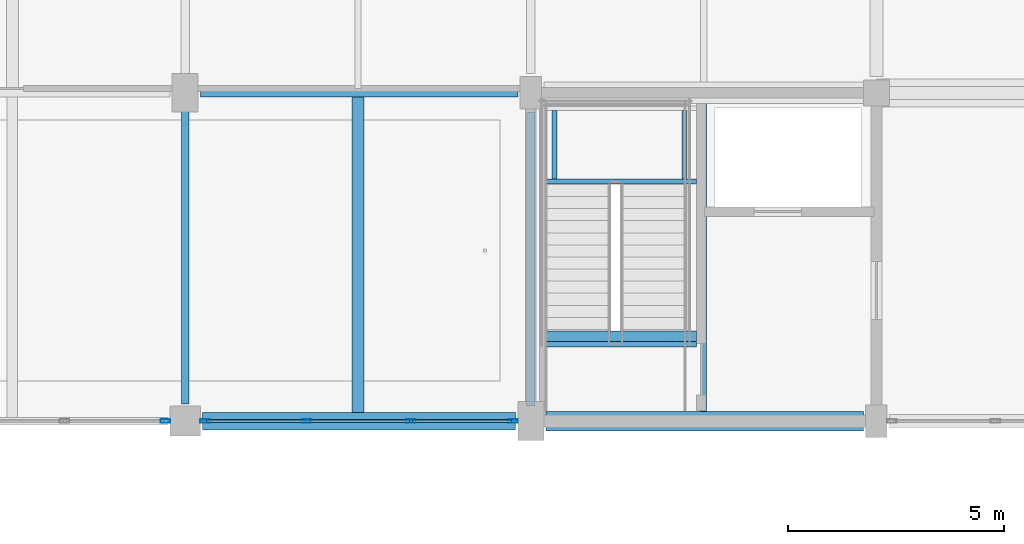
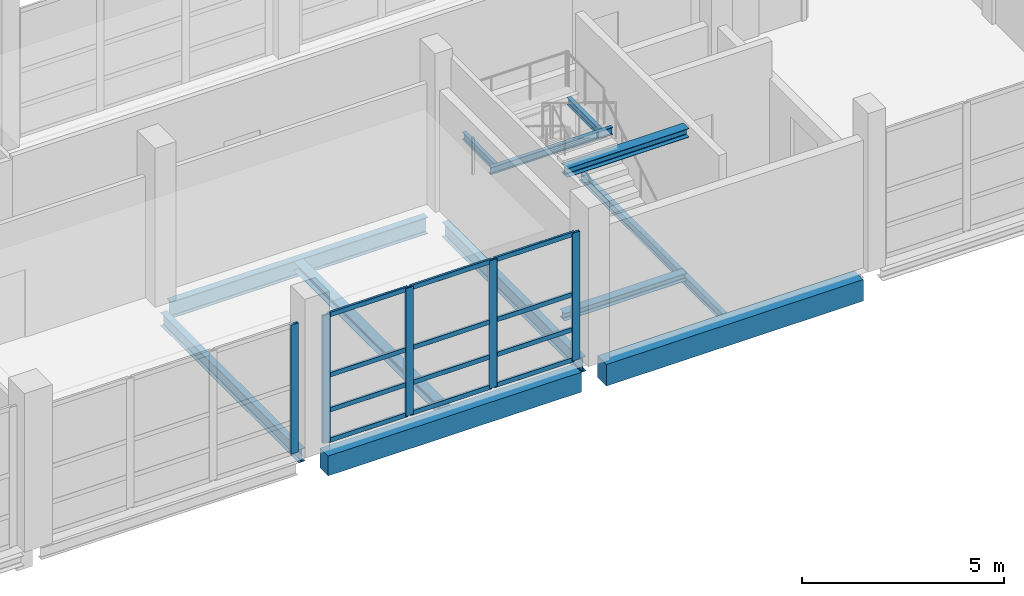
# One storey, part 33 of 141: 17 members, 12 beams, 2 elements without a shape of their own.
"""IFC4 building model written with IfcOpenShell, lengths in metres."""

from ifc_helpers import new_model, si_unit, direction, frame, origin, origin_2d, place, context, subcontext, project, spatial, rectangle, hollow_rectangle, i_section, extrude, material, material_profile, profile_set, type_object, element, aggregate, save


model = new_model("IFC4")

# Units and contexts
model_context = context("Model", 3, precision=1e-05, world=origin(), true_north=direction((0.0, 1.0)))
body_context = subcontext(model_context, "Body", "Model", "MODEL_VIEW")
ifc_project = project(units=[si_unit("LENGTHUNIT", "METRE"), si_unit("AREAUNIT", "SQUARE_METRE"), si_unit("VOLUMEUNIT", "CUBIC_METRE"), si_unit("PLANEANGLEUNIT", "RADIAN"), si_unit("MASSUNIT", "GRAM", prefix="KILO")], contexts=[model_context])

# Site, building, storey
site_placement = place(None, origin())
site = spatial("IfcSite", under=ifc_project, at=site_placement, CompositionType="ELEMENT")
building_placement = place(site_placement, origin())
building = spatial("IfcBuilding", under=site, at=building_placement, Name="Khelvaren Railside Concert Hall", CompositionType="ELEMENT")
storey_placement = place(building_placement, frame((0.0, 0.0, 10.199951171875)))
storey = spatial("IfcBuildingStorey", under=building, at=storey_placement, Name="L02", CompositionType="ELEMENT", Elevation=10.199951171875)

# Beams
ifc_material_1 = material(Name="Steel S355", Category="steel")
ifc_material_profile_1 = material_profile(ifc_material_1, i_section(OverallWidth=0.179931640625, OverallDepth=0.39990234375, WebThickness=0.008544921875, FlangeThickness=0.013427734375, FilletRadius=0.02099609375, at=origin_2d()), Name="IPE 400")
ifc_profile_set_1 = profile_set([ifc_material_profile_1], Name="Steel S355")
beam_type_1 = type_object("IfcBeamType", Name="BM29", PredefinedType="BEAM", material=ifc_profile_set_1)
beam_1_placement = place(storey_placement, frame((112.0, 0.39990234375, -0.489990234375), z_axis=(0.0, 1.0, 0.0), x_axis=(-1.0, 0.0, 0.0)))
element("IfcBeam", 1, at=beam_1_placement, inside=storey, type_object=beam_type_1, Name="V3 L02 Beam Y7.1", PredefinedType="BEAM", context=body_context, shape_type="SweptSolid", body=[
    extrude(i_section(OverallWidth=0.179931640625, OverallDepth=0.39990234375, WebThickness=0.008544921875, FlangeThickness=0.013427734375, FilletRadius=0.02099609375, at=origin_2d()), origin(), (0.0, 0.0, 1.0), 6.85009765625),
])
ifc_material_profile_2 = material_profile(ifc_material_1, i_section(OverallWidth=0.239990234375, OverallDepth=0.22998046875, WebThickness=0.007568359375, FlangeThickness=0.011962890625, FilletRadius=0.02099609375, at=origin_2d()), Name="HEA 240")
ifc_profile_set_2 = profile_set([ifc_material_profile_2], Name="Steel S355")
beam_type_2 = type_object("IfcBeamType", Name="BM42", PredefinedType="BEAM", material=ifc_profile_set_2)
beam_2_placement = place(storey_placement, frame((120.344970703125, 1.960693359375, -0.114990234375), z_axis=(1.0, 0.0, 0.0), x_axis=(0.0, 1.0, 0.0)))
element("IfcBeam", 2, at=beam_2_placement, inside=storey, type_object=beam_type_2, Name="ST-06 L02 Stair Foot Trimmer Beam", PredefinedType="BEAM", context=body_context, shape_type="SweptSolid", body=[
    extrude(i_section(OverallWidth=0.239990234375, OverallDepth=0.22998046875, WebThickness=0.007568359375, FlangeThickness=0.011962890625, FilletRadius=0.02099609375, at=origin_2d()), origin(), (0.0, 0.0, 1.0), 3.4951171875),
])
ifc_material_profile_3 = material_profile(ifc_material_1, i_section(OverallWidth=0.199951171875, OverallDepth=0.5, WebThickness=0.01025390625, FlangeThickness=0.01611328125, FilletRadius=0.02099609375, at=origin_2d()), Name="IPE 500")
ifc_profile_set_3 = profile_set([ifc_material_profile_3], Name="Steel S355")
beam_type_3 = type_object("IfcBeamType", Name="BM62", PredefinedType="BEAM", material=ifc_profile_set_3)
beam_3_placement = place(storey_placement, frame((112.35009765625, 7.60009765625, -0.5400390625), z_axis=(1.0, 0.0, 0.0), x_axis=(0.0, 1.0, 0.0)))
element("IfcBeam", 3, at=beam_3_placement, inside=storey, type_object=beam_type_3, Name="V3 L02 Beam X2.7", PredefinedType="BEAM", context=body_context, shape_type="SweptSolid", body=[
    extrude(i_section(OverallWidth=0.199951171875, OverallDepth=0.5, WebThickness=0.01025390625, FlangeThickness=0.01611328125, FilletRadius=0.02099609375, at=origin_2d()), origin(), (0.0, 0.0, 1.0), 7.349853515625),
])
ifc_material_profile_4 = material_profile(ifc_material_1, i_section(OverallWidth=0.110107421875, OverallDepth=0.219970703125, WebThickness=0.005859375, FlangeThickness=0.00927734375, FilletRadius=0.011962890625, at=origin_2d()), Name="IPE 220")
ifc_profile_set_4 = profile_set([ifc_material_profile_4], Name="Steel S355")
beam_type_4 = type_object("IfcBeamType", Name="BM87", PredefinedType="BEAM", material=ifc_profile_set_4)
beam_4_placement = place(storey_placement, frame((120.344970703125, 5.544921875, 2.090087890625), z_axis=(1.0, 0.0, 0.0), x_axis=(0.0, 1.0, 0.0)))
element("IfcBeam", 4, at=beam_4_placement, inside=storey, type_object=beam_type_4, Name="ST-06 L02 Half-Landing Front Beam", PredefinedType="BEAM", context=body_context, shape_type="SweptSolid", body=[
    extrude(i_section(OverallWidth=0.110107421875, OverallDepth=0.219970703125, WebThickness=0.005859375, FlangeThickness=0.00927734375, FilletRadius=0.011962890625, at=origin_2d()), origin(), (0.0, 0.0, 1.0), 3.4951171875),
])
for number, where, z_axis, x_axis, name in (
    (5, (120.550048828125, 5.60009765625, 2.090087890625), (0.0, 1.0, 0.0), (-1.0, 0.0, 0.0), "ST-06 L02 Half-Landing Side Tie W"),
    (6, (123.550048828125, 5.60009765625, 2.090087890625), (0.0, 1.0, 0.0), (-1.0, 0.0, 0.0), "ST-06 L02 Half-Landing Side Tie E"),
):
    element("IfcBeam", number, at=place(storey_placement, frame(where, z_axis=z_axis, x_axis=x_axis)), inside=storey, type_object=beam_type_4, Name=name, PredefinedType="BEAM", context=body_context, shape_type="SweptSolid", body=[
        extrude(i_section(OverallWidth=0.110107421875, OverallDepth=0.219970703125, WebThickness=0.005859375, FlangeThickness=0.00927734375, FilletRadius=0.011962890625, at=origin_2d()), origin(), (0.0, 0.0, 1.0), 1.5849609375),
    ])
ifc_material_profile_5 = material_profile(ifc_material_1, i_section(OverallWidth=0.280029296875, OverallDepth=0.27001953125, WebThickness=0.008056640625, FlangeThickness=0.012939453125, FilletRadius=0.02392578125, at=origin_2d()), Name="HEA 280")
ifc_profile_set_5 = profile_set([ifc_material_profile_5], Name="Steel S355")
beam_type_5 = type_object("IfcBeamType", Name="BM93", PredefinedType="BEAM", material=ifc_profile_set_5)
beam_5_placement = place(storey_placement, frame((120.344970703125, 1.860107421875, 4.317626953125), z_axis=(1.0, 0.0, 0.0), x_axis=(0.0, 1.0, 0.0)))
element("IfcBeam", 7, at=beam_5_placement, inside=storey, type_object=beam_type_5, Name="ST-06 L02 Stair Top Arrival Trimmer Beam", PredefinedType="BEAM", context=body_context, shape_type="SweptSolid", body=[
    extrude(i_section(OverallWidth=0.280029296875, OverallDepth=0.27001953125, WebThickness=0.008056640625, FlangeThickness=0.012939453125, FilletRadius=0.02392578125, at=origin_2d()), origin(), (0.0, 0.0, 1.0), 3.4951171875),
])
ifc_material_profile_6 = material_profile(ifc_material_1, i_section(OverallWidth=0.18994140625, OverallDepth=0.449951171875, WebThickness=0.009521484375, FlangeThickness=0.0146484375, FilletRadius=0.02099609375, at=origin_2d()), Name="IPE 450")
ifc_profile_set_6 = profile_set([ifc_material_profile_6], Name="Steel S355")
beam_type_6 = type_object("IfcBeamType", Name="BM95", PredefinedType="BEAM", material=ifc_profile_set_6)
beam_6_placement = place(storey_placement, frame((120.0, 0.35009765625, -0.514892578125), z_axis=(0.0, 1.0, 0.0), x_axis=(-1.0, 0.0, 0.0)))
element("IfcBeam", 8, at=beam_6_placement, inside=storey, type_object=beam_type_6, Name="V3 L02 Beam Y8.1", PredefinedType="BEAM", context=body_context, shape_type="SweptSolid", body=[
    extrude(i_section(OverallWidth=0.18994140625, OverallDepth=0.449951171875, WebThickness=0.009521484375, FlangeThickness=0.0146484375, FilletRadius=0.02099609375, at=origin_2d()), origin(), (0.0, 0.0, 1.0), 6.7998046875),
])

# Curtain wall, member
ifc_material_2 = material(Name="Double-glazed clear foyer glass", Category="glass")
curtain_wall_type_1 = type_object("IfcCurtainWallType", Name="CW83", PredefinedType="USERDEFINED", material=ifc_material_2)
curtain_wall_1_placement = place(storey_placement, origin())
curtain_wall_1 = element("IfcCurtainWall", 9, at=curtain_wall_1_placement, inside=storey, type_object=curtain_wall_type_1, Name="Unitised Curtain Wall CW-V3-L02-S-104", ObjectType="UNITISED CURTAIN WALL", PredefinedType="USERDEFINED")
ifc_material_3 = material(Name="Anodised architectural aluminium 6063-T6", Category="aluminium")
ifc_material_profile_7 = material_profile(ifc_material_3, hollow_rectangle(XDim=0.074951171875, YDim=0.219970703125, WallThickness=0.0048828125, InnerFilletRadius=0.0029296875, OuterFilletRadius=0.0048828125, at=origin_2d()), Name="CWM 75x220x5")
ifc_profile_set_7 = profile_set([ifc_material_profile_7], Name="Anodised architectural aluminium 6063-T6")
member_type_1 = type_object("IfcMemberType", Name="CWM13", PredefinedType="MULLION", material=ifc_profile_set_7)
member_1_placement = place(storey_placement, frame((111.5400390625, 0.0, 0.0), z_axis=(0.0, 0.0, 1.0), x_axis=(0.0, -1.0, 0.0)))
member_1 = element("IfcMember", 10, at=member_1_placement, type_object=member_type_1, Name="CW83 mullion 1", PredefinedType="MULLION", context=body_context, shape_type="SweptSolid", body=[
    extrude(hollow_rectangle(XDim=0.074951171875, YDim=0.219970703125, WallThickness=0.0048828125, InnerFilletRadius=0.0029296875, OuterFilletRadius=0.0048828125, at=origin_2d()), origin(), (0.0, 0.0, 1.0), 3.91015625),
])
aggregate(curtain_wall_1, [member_1])

# Curtain wall, members
curtain_wall_type_2 = type_object("IfcCurtainWallType", Name="CW64", PredefinedType="USERDEFINED", material=ifc_material_2)
curtain_wall_2_placement = place(storey_placement, origin())
curtain_wall_2 = element("IfcCurtainWall", 11, at=curtain_wall_2_placement, inside=storey, type_object=curtain_wall_type_2, Name="Unitised Curtain Wall CW-V3-L02-S-112", ObjectType="UNITISED CURTAIN WALL", PredefinedType="USERDEFINED")
member_2_placement = place(storey_placement, frame((119.590087890625, 0.0, 0.0), z_axis=(0.0, 0.0, 1.0), x_axis=(0.0, -1.0, 0.0)))
member_2 = element("IfcMember", 12, at=member_2_placement, type_object=member_type_1, Name="CW64 mullion 1", PredefinedType="MULLION", context=body_context, shape_type="SweptSolid", body=[
    extrude(hollow_rectangle(XDim=0.074951171875, YDim=0.219970703125, WallThickness=0.0048828125, InnerFilletRadius=0.0029296875, OuterFilletRadius=0.0048828125, at=origin_2d()), origin(), (0.0, 0.0, 1.0), 3.860107421875),
])
member_3_placement = place(storey_placement, frame((117.225830078125, 0.0, 0.0), z_axis=(0.0, 0.0, 1.0), x_axis=(0.0, -1.0, 0.0)))
member_3 = element("IfcMember", 13, at=member_3_placement, type_object=member_type_1, Name="CW64 mullion 2", PredefinedType="MULLION", context=body_context, shape_type="SweptSolid", body=[
    extrude(hollow_rectangle(XDim=0.074951171875, YDim=0.219970703125, WallThickness=0.0048828125, InnerFilletRadius=0.0029296875, OuterFilletRadius=0.0048828125, at=origin_2d()), origin(), (0.0, 0.0, 1.0), 3.860107421875),
])
member_4_placement = place(storey_placement, frame((114.82421875, 0.0, 0.0), z_axis=(0.0, 0.0, 1.0), x_axis=(0.0, -1.0, 0.0)))
member_4 = element("IfcMember", 14, at=member_4_placement, type_object=member_type_1, Name="CW64 mullion 3", PredefinedType="MULLION", context=body_context, shape_type="SweptSolid", body=[
    extrude(hollow_rectangle(XDim=0.074951171875, YDim=0.219970703125, WallThickness=0.0048828125, InnerFilletRadius=0.0029296875, OuterFilletRadius=0.0048828125, at=origin_2d()), origin(), (0.0, 0.0, 1.0), 3.860107421875),
])
member_5_placement = place(storey_placement, frame((112.4599609375, 0.0, 0.0), z_axis=(0.0, 0.0, 1.0), x_axis=(0.0, -1.0, 0.0)))
member_5 = element("IfcMember", 15, at=member_5_placement, type_object=member_type_1, Name="CW64 mullion 4", PredefinedType="MULLION", context=body_context, shape_type="SweptSolid", body=[
    extrude(hollow_rectangle(XDim=0.074951171875, YDim=0.219970703125, WallThickness=0.0048828125, InnerFilletRadius=0.0029296875, OuterFilletRadius=0.0048828125, at=origin_2d()), origin(), (0.0, 0.0, 1.0), 3.860107421875),
])
ifc_material_profile_8 = material_profile(ifc_material_3, hollow_rectangle(XDim=0.06494140625, YDim=0.139892578125, WallThickness=0.00390625, InnerFilletRadius=0.001953125, OuterFilletRadius=0.00390625, at=origin_2d()), Name="CWT 65x140x4")
ifc_profile_set_8 = profile_set([ifc_material_profile_8], Name="Anodised architectural aluminium 6063-T6")
member_type_2 = type_object("IfcMemberType", Name="CWT72", PredefinedType="USERDEFINED", material=ifc_profile_set_8)
member_6_placement = place(storey_placement, frame((119.552490234375, 0.0, 0.032470703125), z_axis=(-1.0, 0.0, 0.0), x_axis=(0.0, -1.0, 0.0)))
member_6 = element("IfcMember", 16, at=member_6_placement, type_object=member_type_2, Name="CW64 transom 1.1", ObjectType="TRANSOM", PredefinedType="USERDEFINED", context=body_context, shape_type="SweptSolid", body=[
    extrude(hollow_rectangle(XDim=0.06494140625, YDim=0.139892578125, WallThickness=0.00390625, InnerFilletRadius=0.001953125, OuterFilletRadius=0.00390625, at=origin_2d()), origin(), (0.0, 0.0, 1.0), 2.2890625),
])
member_7_placement = place(storey_placement, frame((119.552490234375, 0.0, 0.949951171875), z_axis=(-1.0, 0.0, 0.0), x_axis=(0.0, -1.0, 0.0)))
member_7 = element("IfcMember", 17, at=member_7_placement, type_object=member_type_2, Name="CW64 transom 1.2", ObjectType="TRANSOM", PredefinedType="USERDEFINED", context=body_context, shape_type="SweptSolid", body=[
    extrude(hollow_rectangle(XDim=0.06494140625, YDim=0.139892578125, WallThickness=0.00390625, InnerFilletRadius=0.001953125, OuterFilletRadius=0.00390625, at=origin_2d()), origin(), (0.0, 0.0, 1.0), 2.2890625),
])
member_8_placement = place(storey_placement, frame((119.552490234375, 0.0, 2.00732421875), z_axis=(-1.0, 0.0, 0.0), x_axis=(0.0, -1.0, 0.0)))
member_8 = element("IfcMember", 18, at=member_8_placement, type_object=member_type_2, Name="CW64 transom 1.3", ObjectType="TRANSOM", PredefinedType="USERDEFINED", context=body_context, shape_type="SweptSolid", body=[
    extrude(hollow_rectangle(XDim=0.06494140625, YDim=0.139892578125, WallThickness=0.00390625, InnerFilletRadius=0.001953125, OuterFilletRadius=0.00390625, at=origin_2d()), origin(), (0.0, 0.0, 1.0), 2.2890625),
])
member_9_placement = place(storey_placement, frame((119.552490234375, 0.0, 3.82763671875), z_axis=(-1.0, 0.0, 0.0), x_axis=(0.0, -1.0, 0.0)))
member_9 = element("IfcMember", 19, at=member_9_placement, type_object=member_type_2, Name="CW64 transom 1.4", ObjectType="TRANSOM", PredefinedType="USERDEFINED", context=body_context, shape_type="SweptSolid", body=[
    extrude(hollow_rectangle(XDim=0.06494140625, YDim=0.139892578125, WallThickness=0.00390625, InnerFilletRadius=0.001953125, OuterFilletRadius=0.00390625, at=origin_2d()), origin(), (0.0, 0.0, 1.0), 2.2890625),
])
member_10_placement = place(storey_placement, frame((117.188232421875, 0.0, 0.032470703125), z_axis=(-1.0, 0.0, 0.0), x_axis=(0.0, -1.0, 0.0)))
member_10 = element("IfcMember", 20, at=member_10_placement, type_object=member_type_2, Name="CW64 transom 2.1", ObjectType="TRANSOM", PredefinedType="USERDEFINED", context=body_context, shape_type="SweptSolid", body=[
    extrude(hollow_rectangle(XDim=0.06494140625, YDim=0.139892578125, WallThickness=0.00390625, InnerFilletRadius=0.001953125, OuterFilletRadius=0.00390625, at=origin_2d()), origin(), (0.0, 0.0, 1.0), 2.32666015625),
])
member_11_placement = place(storey_placement, frame((117.188232421875, 0.0, 0.949951171875), z_axis=(-1.0, 0.0, 0.0), x_axis=(0.0, -1.0, 0.0)))
member_11 = element("IfcMember", 21, at=member_11_placement, type_object=member_type_2, Name="CW64 transom 2.2", ObjectType="TRANSOM", PredefinedType="USERDEFINED", context=body_context, shape_type="SweptSolid", body=[
    extrude(hollow_rectangle(XDim=0.06494140625, YDim=0.139892578125, WallThickness=0.00390625, InnerFilletRadius=0.001953125, OuterFilletRadius=0.00390625, at=origin_2d()), origin(), (0.0, 0.0, 1.0), 2.32666015625),
])
member_12_placement = place(storey_placement, frame((117.188232421875, 0.0, 2.00732421875), z_axis=(-1.0, 0.0, 0.0), x_axis=(0.0, -1.0, 0.0)))
member_12 = element("IfcMember", 22, at=member_12_placement, type_object=member_type_2, Name="CW64 transom 2.3", ObjectType="TRANSOM", PredefinedType="USERDEFINED", context=body_context, shape_type="SweptSolid", body=[
    extrude(hollow_rectangle(XDim=0.06494140625, YDim=0.139892578125, WallThickness=0.00390625, InnerFilletRadius=0.001953125, OuterFilletRadius=0.00390625, at=origin_2d()), origin(), (0.0, 0.0, 1.0), 2.32666015625),
])
member_13_placement = place(storey_placement, frame((117.188232421875, 0.0, 3.82763671875), z_axis=(-1.0, 0.0, 0.0), x_axis=(0.0, -1.0, 0.0)))
member_13 = element("IfcMember", 23, at=member_13_placement, type_object=member_type_2, Name="CW64 transom 2.4", ObjectType="TRANSOM", PredefinedType="USERDEFINED", context=body_context, shape_type="SweptSolid", body=[
    extrude(hollow_rectangle(XDim=0.06494140625, YDim=0.139892578125, WallThickness=0.00390625, InnerFilletRadius=0.001953125, OuterFilletRadius=0.00390625, at=origin_2d()), origin(), (0.0, 0.0, 1.0), 2.32666015625),
])
member_14_placement = place(storey_placement, frame((114.78662109375, 0.0, 0.032470703125), z_axis=(-1.0, 0.0, 0.0), x_axis=(0.0, -1.0, 0.0)))
member_14 = element("IfcMember", 24, at=member_14_placement, type_object=member_type_2, Name="CW64 transom 3.1", ObjectType="TRANSOM", PredefinedType="USERDEFINED", context=body_context, shape_type="SweptSolid", body=[
    extrude(hollow_rectangle(XDim=0.06494140625, YDim=0.139892578125, WallThickness=0.00390625, InnerFilletRadius=0.001953125, OuterFilletRadius=0.00390625, at=origin_2d()), origin(), (0.0, 0.0, 1.0), 2.2890625),
])
member_15_placement = place(storey_placement, frame((114.78662109375, 0.0, 0.949951171875), z_axis=(-1.0, 0.0, 0.0), x_axis=(0.0, -1.0, 0.0)))
member_15 = element("IfcMember", 25, at=member_15_placement, type_object=member_type_2, Name="CW64 transom 3.2", ObjectType="TRANSOM", PredefinedType="USERDEFINED", context=body_context, shape_type="SweptSolid", body=[
    extrude(hollow_rectangle(XDim=0.06494140625, YDim=0.139892578125, WallThickness=0.00390625, InnerFilletRadius=0.001953125, OuterFilletRadius=0.00390625, at=origin_2d()), origin(), (0.0, 0.0, 1.0), 2.2890625),
])
member_16_placement = place(storey_placement, frame((114.78662109375, 0.0, 2.00732421875), z_axis=(-1.0, 0.0, 0.0), x_axis=(0.0, -1.0, 0.0)))
member_16 = element("IfcMember", 26, at=member_16_placement, type_object=member_type_2, Name="CW64 transom 3.3", ObjectType="TRANSOM", PredefinedType="USERDEFINED", context=body_context, shape_type="SweptSolid", body=[
    extrude(hollow_rectangle(XDim=0.06494140625, YDim=0.139892578125, WallThickness=0.00390625, InnerFilletRadius=0.001953125, OuterFilletRadius=0.00390625, at=origin_2d()), origin(), (0.0, 0.0, 1.0), 2.2890625),
])
member_17_placement = place(storey_placement, frame((114.78662109375, 0.0, 3.82763671875), z_axis=(-1.0, 0.0, 0.0), x_axis=(0.0, -1.0, 0.0)))
member_17 = element("IfcMember", 27, at=member_17_placement, type_object=member_type_2, Name="CW64 transom 3.4", ObjectType="TRANSOM", PredefinedType="USERDEFINED", context=body_context, shape_type="SweptSolid", body=[
    extrude(hollow_rectangle(XDim=0.06494140625, YDim=0.139892578125, WallThickness=0.00390625, InnerFilletRadius=0.001953125, OuterFilletRadius=0.00390625, at=origin_2d()), origin(), (0.0, 0.0, 1.0), 2.2890625),
])
aggregate(curtain_wall_2, [member_2, member_3, member_4, member_5, member_6, member_7, member_8, member_9, member_10, member_11, member_12, member_13, member_14, member_15, member_16, member_17])

# Beams
ifc_material_profile_9 = material_profile(ifc_material_1, i_section(OverallWidth=0.280029296875, OverallDepth=0.27001953125, WebThickness=0.008056640625, FlangeThickness=0.012939453125, FilletRadius=0.02392578125, at=origin_2d()), Name="HEA 280")
ifc_profile_set_9 = profile_set([ifc_material_profile_9], Name="Steel S355")
beam_type_7 = type_object("IfcBeamType", Name="JS46", PredefinedType="JOIST", material=ifc_profile_set_9)
beam_7_placement = place(storey_placement, frame((116.0, 0.199951171875, -0.425048828125), z_axis=(0.0, 1.0, 0.0), x_axis=(-1.0, 0.0, 0.0)))
element("IfcBeam", 28, at=beam_7_placement, inside=storey, type_object=beam_type_7, Name="V3 L02 Secondary Joist 7.1", PredefinedType="JOIST", context=body_context, shape_type="SweptSolid", body=[
    extrude(i_section(OverallWidth=0.280029296875, OverallDepth=0.27001953125, WebThickness=0.008056640625, FlangeThickness=0.012939453125, FilletRadius=0.02392578125, at=origin_2d()), origin(), (0.0, 0.0, 1.0), 7.300048828125),
])
ifc_material_profile_10 = material_profile(ifc_material_1, i_section(OverallWidth=0.135009765625, OverallDepth=0.27001953125, WebThickness=0.006591796875, FlangeThickness=0.01025390625, FilletRadius=0.014892578125, at=origin_2d()), Name="IPE 270")
ifc_profile_set_10 = profile_set([ifc_material_profile_10], Name="Steel S355")
beam_type_8 = type_object("IfcBeamType", Name="JS78", PredefinedType="JOIST", material=ifc_profile_set_10)
beam_8_placement = place(storey_placement, frame((124.0, 0.22509765625, -0.425048828125), z_axis=(0.0, 1.0, 0.0), x_axis=(-1.0, 0.0, 0.0)))
element("IfcBeam", 29, at=beam_8_placement, inside=storey, type_object=beam_type_8, Name="V3 L02 Secondary Joist 8.1", PredefinedType="JOIST", context=body_context, shape_type="SweptSolid", body=[
    extrude(i_section(OverallWidth=0.135009765625, OverallDepth=0.27001953125, WebThickness=0.006591796875, FlangeThickness=0.01025390625, FilletRadius=0.014892578125, at=origin_2d()), origin(), (0.0, 0.0, 1.0), 7.125),
])
ifc_material_4 = material(Name="Concrete C40/50", Category="concrete")
ifc_material_profile_11 = material_profile(ifc_material_4, rectangle(XDim=0.449951171875, YDim=0.64990234375, at=origin_2d()), Name="RCB 450x650")
ifc_profile_set_11 = profile_set([ifc_material_profile_11], Name="Concrete C40/50")
beam_type_9 = type_object("IfcBeamType", Name="SP34", PredefinedType="SPANDREL", material=ifc_profile_set_11)
beam_9_placement = place(storey_placement, frame((120.35009765625, 0.0, -0.614990234375), z_axis=(1.0, 0.0, 0.0), x_axis=(0.0, 1.0, 0.0)))
element("IfcBeam", 30, at=beam_9_placement, inside=storey, type_object=beam_type_9, Name="V3 L02 Spandrel X1.8", PredefinedType="SPANDREL", context=body_context, shape_type="SweptSolid", body=[
    extrude(rectangle(XDim=0.449951171875, YDim=0.64990234375, at=origin_2d()), origin(), (0.0, 0.0, 1.0), 7.349853515625),
])
ifc_material_profile_12 = material_profile(ifc_material_4, rectangle(XDim=0.39990234375, YDim=0.60009765625, at=origin_2d()), Name="RCB 400x600")
ifc_profile_set_12 = profile_set([ifc_material_profile_12], Name="Concrete C40/50")
beam_type_10 = type_object("IfcBeamType", Name="SP75", PredefinedType="SPANDREL", material=ifc_profile_set_12)
beam_10_placement = place(storey_placement, frame((112.39990234375, 0.0, -0.58984375), z_axis=(1.0, 0.0, 0.0), x_axis=(0.0, 1.0, 0.0)))
element("IfcBeam", 31, at=beam_10_placement, inside=storey, type_object=beam_type_10, Name="V3 L02 Spandrel X1.7", PredefinedType="SPANDREL", context=body_context, shape_type="SweptSolid", body=[
    extrude(rectangle(XDim=0.39990234375, YDim=0.60009765625, at=origin_2d()), origin(), (0.0, 0.0, 1.0), 7.25),
])

save(model, "model.ifc")
